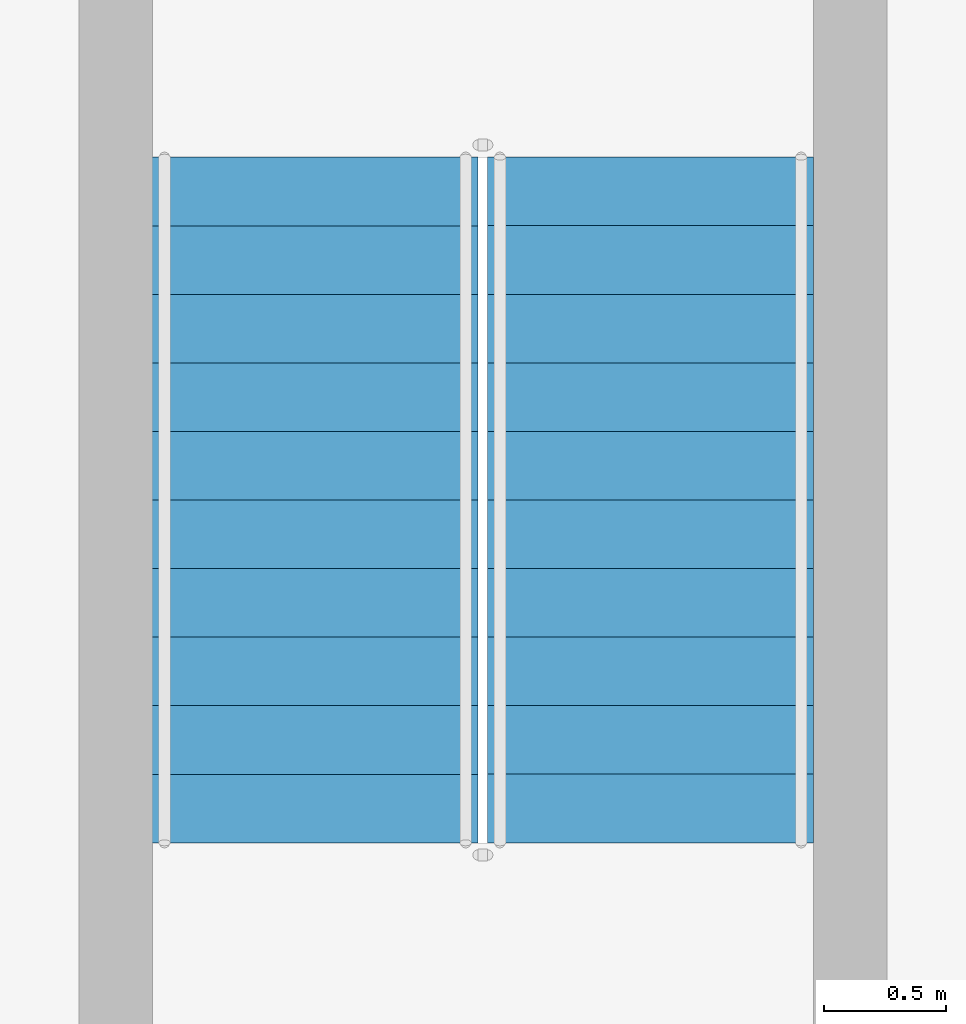
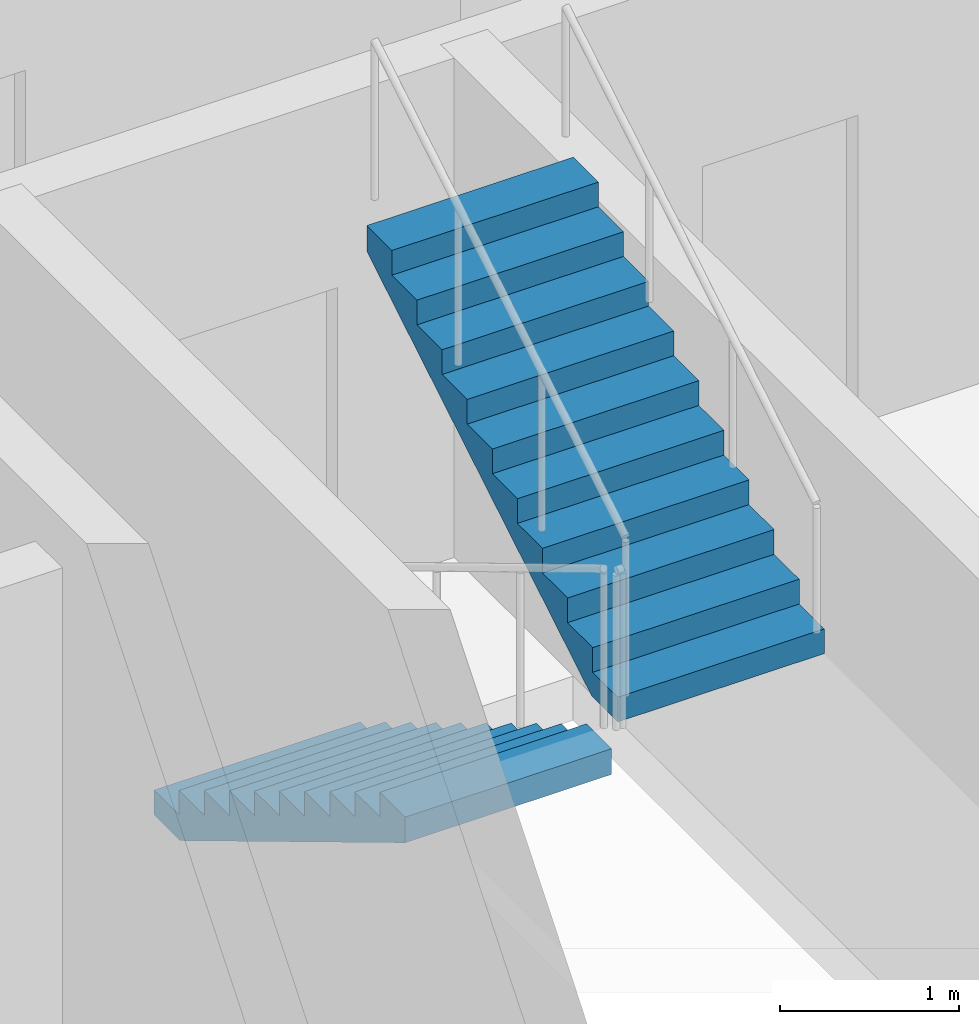
# One storey, part 26 of 36: 2 stair flights, 1 element without a shape of its own.
"""IFC4 building model written with IfcOpenShell, lengths in metres."""

import ifcopenshell
import ifcopenshell.guid

model = None  # the IFC model being written
_history = None  # IfcOwnerHistory: only IFC2X3 demands one
_inside = {}  # id of a spatial element -> (the spatial element, [elements in it])
_under = {}  # id of a project, library or spatial element -> (it, [spatial elements below it])
_declared = {}  # id of a project -> (the project, [libraries it declares])
_typed = {}  # id of a type object -> (the type object, [elements of that type])
_made_of = {}  # id of a material, layer set ... -> (it, [elements and type objects made of it])


def new_model(schema):
    """Start an empty IFC model of exactly this schema.

    Asked for "IFC4X3", IfcOpenShell would pick the latest addendum, in which some entities
    have other attributes; the version numbers below select the first issue.
    IFC2X3 requires an IfcOwnerHistory on every rooted entity: one is made here for all.
    """
    global model, _history
    if schema == "IFC4X3":
        model = ifcopenshell.file(schema_version=(4, 3, 0, 0))
    else:
        model = ifcopenshell.file(schema=schema)
    _inside.clear()
    _under.clear()
    _declared.clear()
    _typed.clear()
    _made_of.clear()
    _history = None
    if model.schema == "IFC2X3":
        org = make("IfcOrganization", Name="unknown")
        user = make(
            "IfcPersonAndOrganization",
            ThePerson=make("IfcPerson", FamilyName="unknown"),
            TheOrganization=org,
        )
        app = make(
            "IfcApplication",
            ApplicationDeveloper=org,
            Version="unknown",
            ApplicationFullName="unknown",
            ApplicationIdentifier="unknown",
        )
        _history = make(
            "IfcOwnerHistory",
            OwningUser=user,
            OwningApplication=app,
            ChangeAction="ADDED",
            CreationDate=0,
        )
    return model


def make(cls, **values):
    """One entity of the class cls with the attributes given. An attribute that is None is left unset."""
    return model.create_entity(
        cls, **{name: value for name, value in values.items() if value is not None}
    )


def rooted(cls, **values):
    """An entity with a GlobalId (a new one), such as an element, a storey or a relation."""
    return make(cls, GlobalId=ifcopenshell.guid.new(), OwnerHistory=_history, **values)


def si_unit(unit_type, name, prefix=None):
    """IfcSIUnit, for example si_unit("LENGTHUNIT", "METRE", prefix="MILLI")."""
    return make("IfcSIUnit", UnitType=unit_type, Prefix=prefix, Name=name)


def assignment(units):
    """IfcUnitAssignment: the units of a project."""
    return None if units is None else make("IfcUnitAssignment", Units=units)


def point(xyz):
    """IfcCartesianPoint."""
    return None if xyz is None else make("IfcCartesianPoint", Coordinates=xyz)


def direction(xyz):
    """IfcDirection."""
    return None if xyz is None else make("IfcDirection", DirectionRatios=xyz)


def frame(location, z_axis=None, x_axis=None):
    """IfcAxis2Placement3D, a coordinate frame: its origin and axes. An axis left out is left unset."""
    return make(
        "IfcAxis2Placement3D",
        Location=point(location),
        Axis=direction(z_axis),
        RefDirection=direction(x_axis),
    )


def origin():
    """The frame at (0, 0, 0) with its axes left unset."""
    return frame((0.0, 0.0, 0.0))


def place(relative_to, where):
    """IfcLocalPlacement: puts the frame where relative to a parent placement (None: the world)."""
    return make(
        "IfcLocalPlacement", PlacementRelTo=relative_to, RelativePlacement=where
    )


def context(
    kind, dimensions, precision=None, world=None, true_north=None, identifier=None
):
    """IfcGeometricRepresentationContext, for example the 3D "Model" context."""
    return make(
        "IfcGeometricRepresentationContext",
        ContextIdentifier=identifier,
        ContextType=kind,
        CoordinateSpaceDimension=dimensions,
        Precision=precision,
        WorldCoordinateSystem=world,
        TrueNorth=true_north,
    )


def subcontext(parent, identifier, kind, view, scale=None):
    """IfcGeometricRepresentationSubContext, for example "Body" below "Model"."""
    return make(
        "IfcGeometricRepresentationSubContext",
        ContextIdentifier=identifier,
        ContextType=kind,
        ParentContext=parent,
        TargetScale=scale,
        TargetView=view,
    )


def project(units=None, contexts=None):
    """IfcProject with its units and contexts."""
    return rooted(
        "IfcProject",
        Name="project",
        RepresentationContexts=contexts,
        UnitsInContext=assignment(units),
    )


def spatial(cls, under=None, at=None, **own):
    """A site, building, storey or space (cls), placed at a placement, below another one or the project."""
    s = rooted(cls, ObjectPlacement=at, **own)
    if under is not None:
        _under.setdefault(under.id(), (under, []))[1].append(s)
    return s


def point_list(points):
    """IfcCartesianPointList2D or 3D."""
    cls = (
        "IfcCartesianPointList2D" if len(points[0]) == 2 else "IfcCartesianPointList3D"
    )
    return make(cls, CoordList=points)


def triangles(points, corners, closed=None, point_numbers=None):
    """IfcTriangulatedFaceSet: each triangle names its three corners, points numbered from 1."""
    return make(
        "IfcTriangulatedFaceSet",
        Coordinates=point_list(points),
        Closed=closed,
        CoordIndex=corners,
        PnIndex=point_numbers,
    )


def shape(context_of_items, identifier, shape_type, items):
    """IfcShapeRepresentation: the items that make up one representation, for example the "Body"."""
    return make(
        "IfcShapeRepresentation",
        ContextOfItems=context_of_items,
        RepresentationIdentifier=identifier,
        RepresentationType=shape_type,
        Items=items,
    )


def source(mapping_origin, context_of_items, identifier, shape_type, items):
    """IfcRepresentationMap: a shape defined once, which mapped items show again and again."""
    return make(
        "IfcRepresentationMap",
        MappingOrigin=mapping_origin,
        MappedRepresentation=shape(context_of_items, identifier, shape_type, items),
    )


def transform(
    local_origin,
    x_axis=None,
    y_axis=None,
    z_axis=None,
    scale=None,
    scale2=None,
    scale3=None,
    uniform=True,
):
    """IfcCartesianTransformationOperator3D, or its non-uniform kind. x_axis, y_axis, z_axis: its Axis1, 2, 3."""
    if uniform:
        return make(
            "IfcCartesianTransformationOperator3D",
            Axis1=direction(x_axis),
            Axis2=direction(y_axis),
            LocalOrigin=point(local_origin),
            Scale=scale,
            Axis3=direction(z_axis),
        )
    return make(
        "IfcCartesianTransformationOperator3DnonUniform",
        Axis1=direction(x_axis),
        Axis2=direction(y_axis),
        LocalOrigin=point(local_origin),
        Scale=scale,
        Axis3=direction(z_axis),
        Scale2=scale2,
        Scale3=scale3,
    )


def mapped(mapping_source, mapping_target):
    """IfcMappedItem: shows the shape of a source again, moved by a transform."""
    return make(
        "IfcMappedItem", MappingSource=mapping_source, MappingTarget=mapping_target
    )


def material(Name=None, Category=None):
    """IfcMaterial."""
    return make("IfcMaterial", Name=Name, Category=Category)


def made_of(thing, what):
    """Note that an element or type object is made of a material, layer set ...; save() writes the relation."""
    if what is not None:
        _made_of.setdefault(what.id(), (what, []))[1].append(thing)
    return thing


def type_object(cls, material=None, **own):
    """A type object (cls), such as IfcWallType, which elements share."""
    return made_of(rooted(cls, **own), material)


def element(
    cls,
    number,
    at=None,
    inside=None,
    cuts=None,
    type_object=None,
    material=None,
    context=None,
    identifier="Body",
    shape_type=None,
    held_by="IfcProductDefinitionShape",
    body=None,
    shapes=None,
    **own,
):
    """One element of the class cls, such as IfcWall. Its Tag is "e" and its number.

    at: its placement. inside: the storey or other place that contains it. cuts: it is an
    opening in that element (IfcRelVoidsElement). A single representation is given by context,
    identifier, shape_type and body (its items); several are given by shapes. held_by: the class
    of the entity that holds the representations. save() writes the other relations.
    """
    e = rooted(cls, Tag="e%d" % number, ObjectPlacement=at, **own)
    if body is not None:
        shapes = [shape(context, identifier, shape_type, body)]
    if shapes is not None:
        e.Representation = make(held_by, Representations=shapes)
    if inside is not None:
        _inside.setdefault(inside.id(), (inside, []))[1].append(e)
    if cuts is not None:
        rooted(
            "IfcRelVoidsElement", RelatingBuildingElement=cuts, RelatedOpeningElement=e
        )
    if type_object is not None:
        _typed.setdefault(type_object.id(), (type_object, []))[1].append(e)
    return made_of(e, material)


def aggregate(whole, parts):
    """IfcRelAggregates: a whole, such as a stair, and the parts it consists of."""
    return rooted("IfcRelAggregates", RelatingObject=whole, RelatedObjects=parts)


def save(model, path):
    """Write the relations noted so far, then the file.

    IfcRelAggregates (storeys below a building ...), IfcRelContainedInSpatialStructure (elements
    in a storey), IfcRelDefinesByType, IfcRelAssociatesMaterial and IfcRelDeclares: one each for
    every whole, place, type object, material and project.
    """
    for whole, parts in _under.values():
        aggregate(whole, parts)
    for where, things in _inside.values():
        rooted(
            "IfcRelContainedInSpatialStructure",
            RelatedElements=things,
            RelatingStructure=where,
        )
    for kind, things in _typed.values():
        rooted("IfcRelDefinesByType", RelatedObjects=things, RelatingType=kind)
    for what, things in _made_of.values():
        rooted("IfcRelAssociatesMaterial", RelatedObjects=things, RelatingMaterial=what)
    for by, libraries in _declared.values():
        rooted("IfcRelDeclares", RelatingContext=by, RelatedDefinitions=libraries)
    model.write(path)


model = new_model("IFC4")

# Units and contexts
model_context = context("Model", 3, precision=1e-05, world=origin(), true_north=direction((0.0, 1.0)))
body_context = subcontext(model_context, "Body", "Model", "MODEL_VIEW")
ifc_project = project(units=[si_unit("LENGTHUNIT", "METRE"), si_unit("AREAUNIT", "SQUARE_METRE"), si_unit("VOLUMEUNIT", "CUBIC_METRE"), si_unit("PLANEANGLEUNIT", "RADIAN"), si_unit("MASSUNIT", "GRAM", prefix="KILO")], contexts=[model_context])

# Site, building, storey
site_placement = place(None, origin())
site = spatial("IfcSite", under=ifc_project, at=site_placement, CompositionType="ELEMENT")
building_placement = place(site_placement, origin())
building = spatial("IfcBuilding", under=site, at=building_placement, Name="Ogive Portal Towers", CompositionType="ELEMENT")
storey_placement = place(building_placement, frame((0.0, 0.0, 63.10009765625)))
storey = spatial("IfcBuildingStorey", under=building, at=storey_placement, Name="L14", CompositionType="ELEMENT", Elevation=63.10009765625)

# Stair, stair flights
ifc_material = material(Name="Concrete C40/50", Category="concrete")
stair_type = type_object("IfcStairType", Name="INT-STAIR", PredefinedType="HALF_TURN_STAIR", material=ifc_material)
stair_placement = place(storey_placement, origin())
stair = element("IfcStair", 1, at=stair_placement, inside=storey, type_object=stair_type, Name="L14 Exit Stair ST-A4", PredefinedType="HALF_TURN_STAIR")
stair_flight_type = type_object("IfcStairFlightType", Name="INT-FLIGHT", PredefinedType="STRAIGHT", material=ifc_material)
shared_shape = source(origin(), body_context, "Body", "Tessellation", [
    triangles([(0.0, -0.6650390625, 0.0), (0.0, -0.384765625, 0.0), (0.0, -0.197021484375, 0.0), (0.0, -0.0830078125, 0.0), (0.0, -0.024658203125, 0.0), (0.0, -0.003173828125, 0.0), (0.0, 0.0, 0.0), (0.0, 0.003173828125, 0.0), (0.0, 0.024658203125, 0.0), (0.0, 0.0830078125, 0.0), (0.0, 0.197021484375, 0.0), (0.0, 0.384765625, 0.0), (0.0, 0.6650390625, 0.0), (0.0, -0.6650390625, 0.168212890625), (0.0, -0.384765625, 0.168212890625), (0.0, -0.197021484375, 0.168212890625), (0.0, -0.0830078125, 0.168212890625), (0.0, -0.024658203125, 0.168212890625), (0.0, -0.003173828125, 0.168212890625), (0.0, 0.0, 0.168212890625), (0.0, 0.003173828125, 0.168212890625), (0.0, 0.024658203125, 0.168212890625), (0.0, 0.0830078125, 0.168212890625), (0.0, 0.197021484375, 0.168212890625), (0.0, 0.384765625, 0.168212890625), (0.0, 0.6650390625, 0.168212890625), (0.280029296875, -0.6650390625, 0.168212890625), (0.280029296875, -0.384765625, 0.168212890625), (0.280029296875, -0.197021484375, 0.168212890625), (0.280029296875, -0.0830078125, 0.168212890625), (0.280029296875, -0.024658203125, 0.168212890625), (0.280029296875, -0.003173828125, 0.168212890625), (0.280029296875, 0.0, 0.168212890625), (0.280029296875, 0.003173828125, 0.168212890625), (0.280029296875, 0.024658203125, 0.168212890625), (0.280029296875, 0.0830078125, 0.168212890625), (0.280029296875, 0.197021484375, 0.168212890625), (0.280029296875, 0.384765625, 0.168212890625), (0.280029296875, 0.6650390625, 0.168212890625), (0.280029296875, -0.6650390625, 0.33642578125), (0.280029296875, -0.384765625, 0.33642578125), (0.280029296875, -0.197021484375, 0.33642578125), (0.280029296875, -0.0830078125, 0.33642578125), (0.280029296875, -0.024658203125, 0.33642578125), (0.280029296875, -0.003173828125, 0.33642578125), (0.280029296875, 0.0, 0.33642578125), (0.280029296875, 0.003173828125, 0.33642578125), (0.280029296875, 0.024658203125, 0.33642578125), (0.280029296875, 0.0830078125, 0.33642578125), (0.280029296875, 0.197021484375, 0.33642578125), (0.280029296875, 0.384765625, 0.33642578125), (0.280029296875, 0.6650390625, 0.33642578125), (0.56005859375, -0.6650390625, 0.33642578125), (0.56005859375, -0.384765625, 0.33642578125), (0.56005859375, -0.197021484375, 0.33642578125), (0.56005859375, -0.0830078125, 0.33642578125), (0.56005859375, -0.024658203125, 0.33642578125), (0.56005859375, -0.003173828125, 0.33642578125), (0.56005859375, 0.0, 0.33642578125), (0.56005859375, 0.003173828125, 0.33642578125), (0.56005859375, 0.024658203125, 0.33642578125), (0.56005859375, 0.0830078125, 0.33642578125), (0.56005859375, 0.197021484375, 0.33642578125), (0.56005859375, 0.384765625, 0.33642578125), (0.56005859375, 0.6650390625, 0.33642578125), (0.56005859375, -0.6650390625, 0.504638671875), (0.56005859375, -0.384765625, 0.504638671875), (0.56005859375, -0.197021484375, 0.504638671875), (0.56005859375, -0.0830078125, 0.504638671875), (0.56005859375, -0.024658203125, 0.504638671875), (0.56005859375, -0.003173828125, 0.504638671875), (0.56005859375, 0.0, 0.504638671875), (0.56005859375, 0.003173828125, 0.504638671875), (0.56005859375, 0.024658203125, 0.504638671875), (0.56005859375, 0.0830078125, 0.504638671875), (0.56005859375, 0.197021484375, 0.504638671875), (0.56005859375, 0.384765625, 0.504638671875), (0.56005859375, 0.6650390625, 0.504638671875), (0.840087890625, -0.6650390625, 0.504638671875), (0.840087890625, -0.384765625, 0.504638671875), (0.840087890625, -0.197021484375, 0.504638671875), (0.840087890625, -0.0830078125, 0.504638671875), (0.840087890625, -0.024658203125, 0.504638671875), (0.840087890625, -0.003173828125, 0.504638671875), (0.840087890625, 0.0, 0.504638671875), (0.840087890625, 0.003173828125, 0.504638671875), (0.840087890625, 0.024658203125, 0.504638671875), (0.840087890625, 0.0830078125, 0.504638671875), (0.840087890625, 0.197021484375, 0.504638671875), (0.840087890625, 0.384765625, 0.504638671875), (0.840087890625, 0.6650390625, 0.504638671875), (0.840087890625, -0.6650390625, 0.672607421875), (0.840087890625, -0.384765625, 0.672607421875), (0.840087890625, -0.197021484375, 0.672607421875), (0.840087890625, -0.0830078125, 0.672607421875), (0.840087890625, -0.024658203125, 0.672607421875), (0.840087890625, -0.003173828125, 0.672607421875), (0.840087890625, 0.0, 0.672607421875), (0.840087890625, 0.003173828125, 0.672607421875), (0.840087890625, 0.024658203125, 0.672607421875), (0.840087890625, 0.0830078125, 0.672607421875), (0.840087890625, 0.197021484375, 0.672607421875), (0.840087890625, 0.384765625, 0.672607421875), (0.840087890625, 0.6650390625, 0.672607421875), (1.1201171875, -0.6650390625, 0.672607421875), (1.1201171875, -0.384765625, 0.672607421875), (1.1201171875, -0.197021484375, 0.672607421875), (1.1201171875, -0.0830078125, 0.672607421875), (1.1201171875, -0.024658203125, 0.672607421875), (1.1201171875, -0.003173828125, 0.672607421875), (1.1201171875, 0.0, 0.672607421875), (1.1201171875, 0.003173828125, 0.672607421875), (1.1201171875, 0.024658203125, 0.672607421875), (1.1201171875, 0.0830078125, 0.672607421875), (1.1201171875, 0.197021484375, 0.672607421875), (1.1201171875, 0.384765625, 0.672607421875), (1.1201171875, 0.6650390625, 0.672607421875), (1.1201171875, -0.6650390625, 0.8408203125), (1.1201171875, -0.384765625, 0.8408203125), (1.1201171875, -0.197021484375, 0.8408203125), (1.1201171875, -0.0830078125, 0.8408203125), (1.1201171875, -0.024658203125, 0.8408203125), (1.1201171875, -0.003173828125, 0.8408203125), (1.1201171875, 0.0, 0.8408203125), (1.1201171875, 0.003173828125, 0.8408203125), (1.1201171875, 0.024658203125, 0.8408203125), (1.1201171875, 0.0830078125, 0.8408203125), (1.1201171875, 0.197021484375, 0.8408203125), (1.1201171875, 0.384765625, 0.8408203125), (1.1201171875, 0.6650390625, 0.8408203125), (1.39990234375, -0.6650390625, 0.8408203125), (1.39990234375, -0.384765625, 0.8408203125), (1.39990234375, -0.197021484375, 0.8408203125), (1.39990234375, -0.0830078125, 0.8408203125), (1.39990234375, -0.024658203125, 0.8408203125), (1.39990234375, -0.003173828125, 0.8408203125), (1.39990234375, 0.0, 0.8408203125), (1.39990234375, 0.003173828125, 0.8408203125), (1.39990234375, 0.024658203125, 0.8408203125), (1.39990234375, 0.0830078125, 0.8408203125), (1.39990234375, 0.197021484375, 0.8408203125), (1.39990234375, 0.384765625, 0.8408203125), (1.39990234375, 0.6650390625, 0.8408203125), (1.39990234375, -0.6650390625, 1.009033203125), (1.39990234375, -0.384765625, 1.009033203125), (1.39990234375, -0.197021484375, 1.009033203125), (1.39990234375, -0.0830078125, 1.009033203125), (1.39990234375, -0.024658203125, 1.009033203125), (1.39990234375, -0.003173828125, 1.009033203125), (1.39990234375, 0.0, 1.009033203125), (1.39990234375, 0.003173828125, 1.009033203125), (1.39990234375, 0.024658203125, 1.009033203125), (1.39990234375, 0.0830078125, 1.009033203125), (1.39990234375, 0.197021484375, 1.009033203125), (1.39990234375, 0.384765625, 1.009033203125), (1.39990234375, 0.6650390625, 1.009033203125), (1.679931640625, -0.6650390625, 1.009033203125), (1.679931640625, -0.384765625, 1.009033203125), (1.679931640625, -0.197021484375, 1.009033203125), (1.679931640625, -0.0830078125, 1.009033203125), (1.679931640625, -0.024658203125, 1.009033203125), (1.679931640625, -0.003173828125, 1.009033203125), (1.679931640625, 0.0, 1.009033203125), (1.679931640625, 0.003173828125, 1.009033203125), (1.679931640625, 0.024658203125, 1.009033203125), (1.679931640625, 0.0830078125, 1.009033203125), (1.679931640625, 0.197021484375, 1.009033203125), (1.679931640625, 0.384765625, 1.009033203125), (1.679931640625, 0.6650390625, 1.009033203125), (1.679931640625, -0.6650390625, 1.17724609375), (1.679931640625, -0.384765625, 1.17724609375), (1.679931640625, -0.197021484375, 1.17724609375), (1.679931640625, -0.0830078125, 1.17724609375), (1.679931640625, -0.024658203125, 1.17724609375), (1.679931640625, -0.003173828125, 1.17724609375), (1.679931640625, 0.0, 1.17724609375), (1.679931640625, 0.003173828125, 1.17724609375), (1.679931640625, 0.024658203125, 1.17724609375), (1.679931640625, 0.0830078125, 1.17724609375), (1.679931640625, 0.197021484375, 1.17724609375), (1.679931640625, 0.384765625, 1.17724609375), (1.679931640625, 0.6650390625, 1.17724609375), (1.9599609375, -0.6650390625, 1.17724609375), (1.9599609375, -0.384765625, 1.17724609375), (1.9599609375, -0.197021484375, 1.17724609375), (1.9599609375, -0.0830078125, 1.17724609375), (1.9599609375, -0.024658203125, 1.17724609375), (1.9599609375, -0.003173828125, 1.17724609375), (1.9599609375, 0.0, 1.17724609375), (1.9599609375, 0.003173828125, 1.17724609375), (1.9599609375, 0.024658203125, 1.17724609375), (1.9599609375, 0.0830078125, 1.17724609375), (1.9599609375, 0.197021484375, 1.17724609375), (1.9599609375, 0.384765625, 1.17724609375), (1.9599609375, 0.6650390625, 1.17724609375), (1.9599609375, -0.6650390625, 1.345458984375), (1.9599609375, -0.384765625, 1.345458984375), (1.9599609375, -0.197021484375, 1.345458984375), (1.9599609375, -0.0830078125, 1.345458984375), (1.9599609375, -0.024658203125, 1.345458984375), (1.9599609375, -0.003173828125, 1.345458984375), (1.9599609375, 0.0, 1.345458984375), (1.9599609375, 0.003173828125, 1.345458984375), (1.9599609375, 0.024658203125, 1.345458984375), (1.9599609375, 0.0830078125, 1.345458984375), (1.9599609375, 0.197021484375, 1.345458984375), (1.9599609375, 0.384765625, 1.345458984375), (1.9599609375, 0.6650390625, 1.345458984375), (2.239990234375, -0.6650390625, 1.345458984375), (2.239990234375, -0.384765625, 1.345458984375), (2.239990234375, -0.197021484375, 1.345458984375), (2.239990234375, -0.0830078125, 1.345458984375), (2.239990234375, -0.024658203125, 1.345458984375), (2.239990234375, -0.003173828125, 1.345458984375), (2.239990234375, 0.0, 1.345458984375), (2.239990234375, 0.003173828125, 1.345458984375), (2.239990234375, 0.024658203125, 1.345458984375), (2.239990234375, 0.0830078125, 1.345458984375), (2.239990234375, 0.197021484375, 1.345458984375), (2.239990234375, 0.384765625, 1.345458984375), (2.239990234375, 0.6650390625, 1.345458984375), (2.239990234375, -0.6650390625, 1.513671875), (2.239990234375, -0.384765625, 1.513671875), (2.239990234375, -0.197021484375, 1.513671875), (2.239990234375, -0.0830078125, 1.513671875), (2.239990234375, -0.024658203125, 1.513671875), (2.239990234375, -0.003173828125, 1.513671875), (2.239990234375, 0.0, 1.513671875), (2.239990234375, 0.003173828125, 1.513671875), (2.239990234375, 0.024658203125, 1.513671875), (2.239990234375, 0.0830078125, 1.513671875), (2.239990234375, 0.197021484375, 1.513671875), (2.239990234375, 0.384765625, 1.513671875), (2.239990234375, 0.6650390625, 1.513671875), (2.52001953125, -0.6650390625, 1.513671875), (2.52001953125, -0.384765625, 1.513671875), (2.52001953125, -0.197021484375, 1.513671875), (2.52001953125, -0.0830078125, 1.513671875), (2.52001953125, -0.024658203125, 1.513671875), (2.52001953125, -0.003173828125, 1.513671875), (2.52001953125, 0.0, 1.513671875), (2.52001953125, 0.003173828125, 1.513671875), (2.52001953125, 0.024658203125, 1.513671875), (2.52001953125, 0.0830078125, 1.513671875), (2.52001953125, 0.197021484375, 1.513671875), (2.52001953125, 0.384765625, 1.513671875), (2.52001953125, 0.6650390625, 1.513671875), (2.52001953125, -0.6650390625, 1.681884765625), (2.52001953125, -0.384765625, 1.681884765625), (2.52001953125, -0.197021484375, 1.681884765625), (2.52001953125, -0.0830078125, 1.681884765625), (2.52001953125, -0.024658203125, 1.681884765625), (2.52001953125, -0.003173828125, 1.681884765625), (2.52001953125, 0.0, 1.681884765625), (2.52001953125, 0.003173828125, 1.681884765625), (2.52001953125, 0.024658203125, 1.681884765625), (2.52001953125, 0.0830078125, 1.681884765625), (2.52001953125, 0.197021484375, 1.681884765625), (2.52001953125, 0.384765625, 1.681884765625), (2.52001953125, 0.6650390625, 1.681884765625), (2.800048828125, -0.6650390625, 1.681884765625), (2.800048828125, -0.384765625, 1.681884765625), (2.800048828125, -0.197021484375, 1.681884765625), (2.800048828125, -0.0830078125, 1.681884765625), (2.800048828125, -0.024658203125, 1.681884765625), (2.800048828125, -0.003173828125, 1.681884765625), (2.800048828125, 0.0, 1.681884765625), (2.800048828125, 0.003173828125, 1.681884765625), (2.800048828125, 0.024658203125, 1.681884765625), (2.800048828125, 0.0830078125, 1.681884765625), (2.800048828125, 0.197021484375, 1.681884765625), (2.800048828125, 0.384765625, 1.681884765625), (2.800048828125, 0.6650390625, 1.681884765625), (2.800048828125, -0.6650390625, 1.5068359375), (2.800048828125, -0.384765625, 1.5068359375), (2.800048828125, -0.197021484375, 1.5068359375), (2.800048828125, -0.0830078125, 1.5068359375), (2.800048828125, -0.024658203125, 1.5068359375), (2.800048828125, -0.003173828125, 1.5068359375), (2.800048828125, 0.0, 1.5068359375), (2.800048828125, 0.003173828125, 1.5068359375), (2.800048828125, 0.024658203125, 1.5068359375), (2.800048828125, 0.0830078125, 1.5068359375), (2.800048828125, 0.197021484375, 1.5068359375), (2.800048828125, 0.384765625, 1.5068359375), (2.800048828125, 0.6650390625, 1.5068359375), (0.291015625, -0.6650390625, 0.0), (0.291015625, -0.384765625, 0.0), (0.291015625, -0.197021484375, 0.0), (0.291015625, -0.0830078125, 0.0), (0.291015625, -0.024658203125, 0.0), (0.291015625, -0.003173828125, 0.0), (0.291015625, 0.0, 0.0), (0.291015625, 0.003173828125, 0.0), (0.291015625, 0.024658203125, 0.0), (0.291015625, 0.0830078125, 0.0), (0.291015625, 0.197021484375, 0.0), (0.291015625, 0.384765625, 0.0), (0.291015625, 0.6650390625, 0.0)], [[1, 14, 15], [1, 15, 2], [2, 15, 16], [2, 16, 3], [3, 16, 17], [3, 17, 4], [4, 17, 18], [4, 18, 5], [5, 18, 19], [5, 19, 6], [6, 19, 20], [6, 20, 7], [7, 20, 21], [7, 21, 8], [8, 21, 22], [8, 22, 9], [9, 22, 23], [9, 23, 10], [10, 23, 24], [10, 24, 11], [11, 24, 25], [11, 25, 12], [12, 25, 26], [12, 26, 13], [14, 27, 28], [14, 28, 15], [15, 28, 29], [15, 29, 16], [16, 29, 30], [16, 30, 17], [17, 30, 31], [17, 31, 18], [18, 31, 32], [18, 32, 19], [19, 32, 33], [19, 33, 20], [20, 33, 34], [20, 34, 21], [21, 34, 35], [21, 35, 22], [22, 35, 36], [22, 36, 23], [23, 36, 37], [23, 37, 24], [24, 37, 38], [24, 38, 25], [25, 38, 39], [25, 39, 26], [27, 40, 41], [27, 41, 28], [28, 41, 42], [28, 42, 29], [29, 42, 43], [29, 43, 30], [30, 43, 44], [30, 44, 31], [31, 44, 45], [31, 45, 32], [32, 45, 46], [32, 46, 33], [33, 46, 47], [33, 47, 34], [34, 47, 48], [34, 48, 35], [35, 48, 49], [35, 49, 36], [36, 49, 50], [36, 50, 37], [37, 50, 51], [37, 51, 38], [38, 51, 52], [38, 52, 39], [40, 53, 54], [40, 54, 41], [41, 54, 55], [41, 55, 42], [42, 55, 56], [42, 56, 43], [43, 56, 57], [43, 57, 44], [44, 57, 58], [44, 58, 45], [45, 58, 59], [45, 59, 46], [46, 59, 60], [46, 60, 47], [47, 60, 61], [47, 61, 48], [48, 61, 62], [48, 62, 49], [49, 62, 63], [49, 63, 50], [50, 63, 64], [50, 64, 51], [51, 64, 65], [51, 65, 52], [53, 66, 67], [53, 67, 54], [54, 67, 68], [54, 68, 55], [55, 68, 69], [55, 69, 56], [56, 69, 70], [56, 70, 57], [57, 70, 71], [57, 71, 58], [58, 71, 72], [58, 72, 59], [59, 72, 73], [59, 73, 60], [60, 73, 74], [60, 74, 61], [61, 74, 75], [61, 75, 62], [62, 75, 76], [62, 76, 63], [63, 76, 77], [63, 77, 64], [64, 77, 78], [64, 78, 65], [66, 79, 80], [66, 80, 67], [67, 80, 81], [67, 81, 68], [68, 81, 82], [68, 82, 69], [69, 82, 83], [69, 83, 70], [70, 83, 84], [70, 84, 71], [71, 84, 85], [71, 85, 72], [72, 85, 86], [72, 86, 73], [73, 86, 87], [73, 87, 74], [74, 87, 88], [74, 88, 75], [75, 88, 89], [75, 89, 76], [76, 89, 90], [76, 90, 77], [77, 90, 91], [77, 91, 78], [79, 92, 93], [79, 93, 80], [80, 93, 94], [80, 94, 81], [81, 94, 95], [81, 95, 82], [82, 95, 96], [82, 96, 83], [83, 96, 97], [83, 97, 84], [84, 97, 98], [84, 98, 85], [85, 98, 99], [85, 99, 86], [86, 99, 100], [86, 100, 87], [87, 100, 101], [87, 101, 88], [88, 101, 102], [88, 102, 89], [89, 102, 103], [89, 103, 90], [90, 103, 104], [90, 104, 91], [92, 105, 106], [92, 106, 93], [93, 106, 107], [93, 107, 94], [94, 107, 108], [94, 108, 95], [95, 108, 109], [95, 109, 96], [96, 109, 110], [96, 110, 97], [97, 110, 111], [97, 111, 98], [98, 111, 112], [98, 112, 99], [99, 112, 113], [99, 113, 100], [100, 113, 114], [100, 114, 101], [101, 114, 115], [101, 115, 102], [102, 115, 116], [102, 116, 103], [103, 116, 117], [103, 117, 104], [105, 118, 119], [105, 119, 106], [106, 119, 120], [106, 120, 107], [107, 120, 121], [107, 121, 108], [108, 121, 122], [108, 122, 109], [109, 122, 123], [109, 123, 110], [110, 123, 124], [110, 124, 111], [111, 124, 125], [111, 125, 112], [112, 125, 126], [112, 126, 113], [113, 126, 127], [113, 127, 114], [114, 127, 128], [114, 128, 115], [115, 128, 129], [115, 129, 116], [116, 129, 130], [116, 130, 117], [118, 131, 132], [118, 132, 119], [119, 132, 133], [119, 133, 120], [120, 133, 134], [120, 134, 121], [121, 134, 135], [121, 135, 122], [122, 135, 136], [122, 136, 123], [123, 136, 137], [123, 137, 124], [124, 137, 138], [124, 138, 125], [125, 138, 139], [125, 139, 126], [126, 139, 140], [126, 140, 127], [127, 140, 141], [127, 141, 128], [128, 141, 142], [128, 142, 129], [129, 142, 143], [129, 143, 130], [131, 144, 145], [131, 145, 132], [132, 145, 146], [132, 146, 133], [133, 146, 147], [133, 147, 134], [134, 147, 148], [134, 148, 135], [135, 148, 149], [135, 149, 136], [136, 149, 150], [136, 150, 137], [137, 150, 151], [137, 151, 138], [138, 151, 152], [138, 152, 139], [139, 152, 153], [139, 153, 140], [140, 153, 154], [140, 154, 141], [141, 154, 155], [141, 155, 142], [142, 155, 156], [142, 156, 143], [144, 157, 158], [144, 158, 145], [145, 158, 159], [145, 159, 146], [146, 159, 160], [146, 160, 147], [147, 160, 161], [147, 161, 148], [148, 161, 162], [148, 162, 149], [149, 162, 163], [149, 163, 150], [150, 163, 164], [150, 164, 151], [151, 164, 165], [151, 165, 152], [152, 165, 166], [152, 166, 153], [153, 166, 167], [153, 167, 154], [154, 167, 168], [154, 168, 155], [155, 168, 169], [155, 169, 156], [157, 170, 171], [157, 171, 158], [158, 171, 172], [158, 172, 159], [159, 172, 173], [159, 173, 160], [160, 173, 174], [160, 174, 161], [161, 174, 175], [161, 175, 162], [162, 175, 176], [162, 176, 163], [163, 176, 177], [163, 177, 164], [164, 177, 178], [164, 178, 165], [165, 178, 179], [165, 179, 166], [166, 179, 180], [166, 180, 167], [167, 180, 181], [167, 181, 168], [168, 181, 182], [168, 182, 169], [170, 183, 184], [170, 184, 171], [171, 184, 185], [171, 185, 172], [172, 185, 186], [172, 186, 173], [173, 186, 187], [173, 187, 174], [174, 187, 188], [174, 188, 175], [175, 188, 189], [175, 189, 176], [176, 189, 190], [176, 190, 177], [177, 190, 191], [177, 191, 178], [178, 191, 192], [178, 192, 179], [179, 192, 193], [179, 193, 180], [180, 193, 194], [180, 194, 181], [181, 194, 195], [181, 195, 182], [183, 196, 197], [183, 197, 184], [184, 197, 198], [184, 198, 185], [185, 198, 199], [185, 199, 186], [186, 199, 200], [186, 200, 187], [187, 200, 201], [187, 201, 188], [188, 201, 202], [188, 202, 189], [189, 202, 203], [189, 203, 190], [190, 203, 204], [190, 204, 191], [191, 204, 205], [191, 205, 192], [192, 205, 206], [192, 206, 193], [193, 206, 207], [193, 207, 194], [194, 207, 208], [194, 208, 195], [196, 209, 210], [196, 210, 197], [197, 210, 211], [197, 211, 198], [198, 211, 212], [198, 212, 199], [199, 212, 213], [199, 213, 200], [200, 213, 214], [200, 214, 201], [201, 214, 215], [201, 215, 202], [202, 215, 216], [202, 216, 203], [203, 216, 217], [203, 217, 204], [204, 217, 218], [204, 218, 205], [205, 218, 219], [205, 219, 206], [206, 219, 220], [206, 220, 207], [207, 220, 221], [207, 221, 208], [209, 222, 223], [209, 223, 210], [210, 223, 224], [210, 224, 211], [211, 224, 225], [211, 225, 212], [212, 225, 226], [212, 226, 213], [213, 226, 227], [213, 227, 214], [214, 227, 228], [214, 228, 215], [215, 228, 229], [215, 229, 216], [216, 229, 230], [216, 230, 217], [217, 230, 231], [217, 231, 218], [218, 231, 232], [218, 232, 219], [219, 232, 233], [219, 233, 220], [220, 233, 234], [220, 234, 221], [222, 235, 236], [222, 236, 223], [223, 236, 237], [223, 237, 224], [224, 237, 238], [224, 238, 225], [225, 238, 239], [225, 239, 226], [226, 239, 240], [226, 240, 227], [227, 240, 241], [227, 241, 228], [228, 241, 242], [228, 242, 229], [229, 242, 243], [229, 243, 230], [230, 243, 244], [230, 244, 231], [231, 244, 245], [231, 245, 232], [232, 245, 246], [232, 246, 233], [233, 246, 247], [233, 247, 234], [235, 248, 249], [235, 249, 236], [236, 249, 250], [236, 250, 237], [237, 250, 251], [237, 251, 238], [238, 251, 252], [238, 252, 239], [239, 252, 253], [239, 253, 240], [240, 253, 254], [240, 254, 241], [241, 254, 255], [241, 255, 242], [242, 255, 256], [242, 256, 243], [243, 256, 257], [243, 257, 244], [244, 257, 258], [244, 258, 245], [245, 258, 259], [245, 259, 246], [246, 259, 260], [246, 260, 247], [248, 261, 262], [248, 262, 249], [249, 262, 263], [249, 263, 250], [250, 263, 264], [250, 264, 251], [251, 264, 265], [251, 265, 252], [252, 265, 266], [252, 266, 253], [253, 266, 267], [253, 267, 254], [254, 267, 268], [254, 268, 255], [255, 268, 269], [255, 269, 256], [256, 269, 270], [256, 270, 257], [257, 270, 271], [257, 271, 258], [258, 271, 272], [258, 272, 259], [259, 272, 273], [259, 273, 260], [261, 274, 275], [261, 275, 262], [262, 275, 276], [262, 276, 263], [263, 276, 277], [263, 277, 264], [264, 277, 278], [264, 278, 265], [265, 278, 279], [265, 279, 266], [266, 279, 280], [266, 280, 267], [267, 280, 281], [267, 281, 268], [268, 281, 282], [268, 282, 269], [269, 282, 283], [269, 283, 270], [270, 283, 284], [270, 284, 271], [271, 284, 285], [271, 285, 272], [272, 285, 286], [272, 286, 273], [274, 287, 288], [274, 288, 275], [275, 288, 289], [275, 289, 276], [276, 289, 290], [276, 290, 277], [277, 290, 291], [277, 291, 278], [278, 291, 292], [278, 292, 279], [279, 292, 293], [279, 293, 280], [280, 293, 294], [280, 294, 281], [281, 294, 295], [281, 295, 282], [282, 295, 296], [282, 296, 283], [283, 296, 297], [283, 297, 284], [284, 297, 298], [284, 298, 285], [285, 298, 299], [285, 299, 286], [287, 1, 2], [287, 2, 288], [288, 2, 3], [288, 3, 289], [289, 3, 4], [289, 4, 290], [290, 4, 5], [290, 5, 291], [291, 5, 6], [291, 6, 292], [292, 6, 7], [292, 7, 293], [293, 7, 8], [293, 8, 294], [294, 8, 9], [294, 9, 295], [295, 9, 10], [295, 10, 296], [296, 10, 11], [296, 11, 297], [297, 11, 12], [297, 12, 298], [298, 12, 13], [298, 13, 299], [1, 287, 274], [13, 286, 299], [274, 261, 248], [286, 260, 273], [274, 248, 235], [286, 247, 260], [274, 235, 222], [286, 234, 247], [274, 222, 209], [286, 221, 234], [209, 196, 183], [221, 195, 208], [274, 209, 183], [286, 195, 221], [183, 170, 157], [195, 169, 182], [274, 183, 157], [286, 169, 195], [157, 144, 131], [169, 143, 156], [274, 157, 131], [286, 143, 169], [131, 118, 105], [143, 117, 130], [274, 131, 105], [286, 117, 143], [1, 274, 105], [13, 117, 286], [105, 92, 79], [117, 91, 104], [79, 66, 53], [91, 65, 78], [105, 79, 53], [117, 65, 91], [53, 40, 27], [65, 39, 52], [105, 53, 27], [117, 39, 65], [1, 105, 27], [13, 39, 117], [27, 14, 1], [39, 13, 26]], closed=True),
])
stair_flight_1_placement = place(storey_placement, frame((87.6650390625, 29.169921875, 0.0), z_axis=(0.0, 0.0, 1.0), x_axis=(0.0, -1.0, 0.0)))
stair_flight_1 = element("IfcStairFlight", 2, at=stair_flight_1_placement, type_object=stair_flight_type, Name="ST-A4 flight 1", NumberOfRisers=11, NumberOfTreads=10, PredefinedType="STRAIGHT", RiserHeight=0.168181818, TreadLength=0.28, context=body_context, shape_type="MappedRepresentation", body=[
    mapped(shared_shape, transform((0.0, 0.0, 0.0), scale=1.0)),
])
stair_flight_2_placement = place(storey_placement, frame((89.034912109375, 26.3701171875, 1.849853515625), z_axis=(0.0, 0.0, 1.0), x_axis=(0.0, 1.0, 0.0)))
stair_flight_2 = element("IfcStairFlight", 3, at=stair_flight_2_placement, type_object=stair_flight_type, Name="ST-A4 flight 2", NumberOfRisers=11, NumberOfTreads=10, PredefinedType="STRAIGHT", RiserHeight=0.168181818, TreadLength=0.28, context=body_context, shape_type="MappedRepresentation", body=[
    mapped(shared_shape, transform((0.0, 0.0, 0.0), scale=1.0)),
])
aggregate(stair, [stair_flight_1, stair_flight_2])

save(model, "model.ifc")
